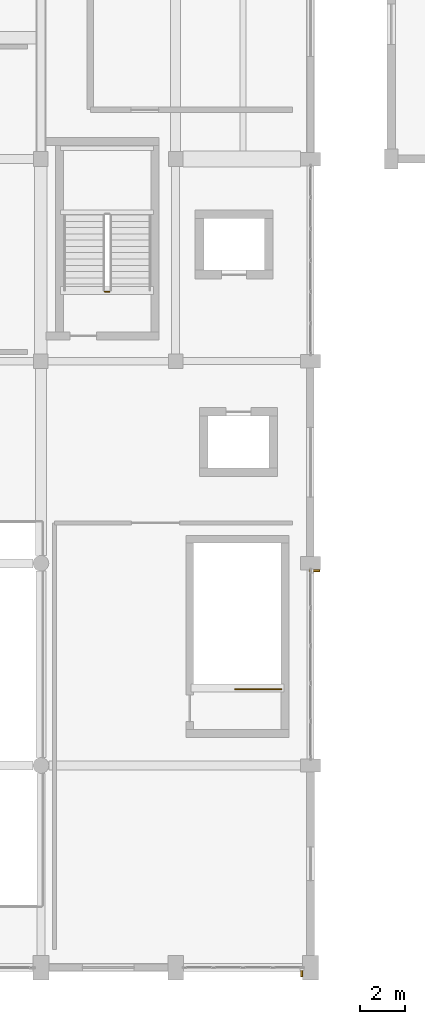
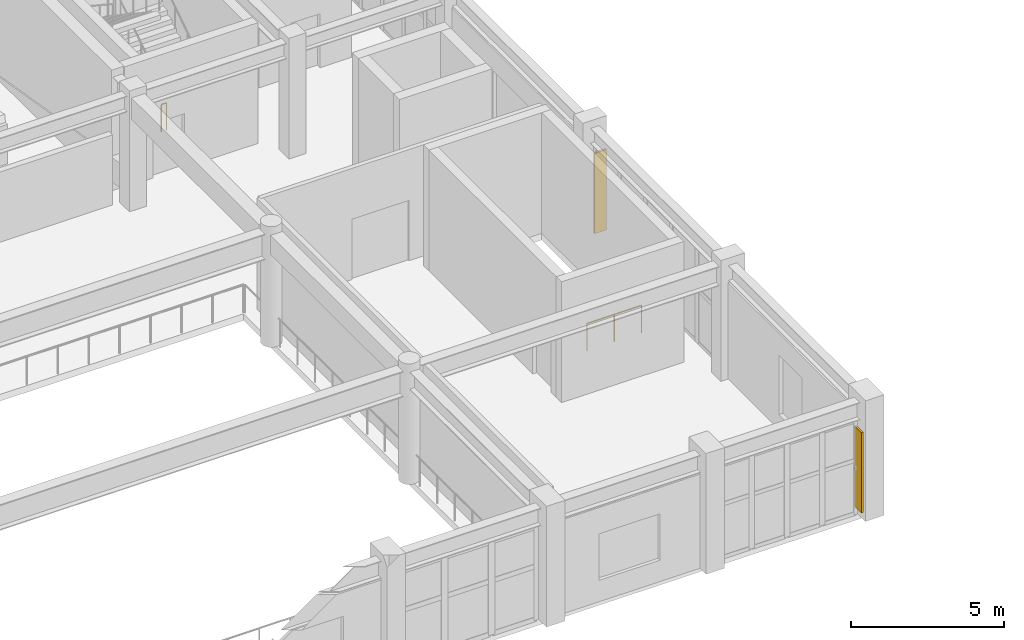
# One storey, part 72 of 80: 2 railings, 2 shading devices.
"""IFC4 building model written with IfcOpenShell, lengths in metres."""

from ifc_helpers import new_model, si_unit, direction, frame, origin, origin_2d, place, context, subcontext, project, spatial, rectangle, circle, extrude, material, type_object, element, save


model = new_model("IFC4")

# Units and contexts
model_context = context("Model", 3, precision=1e-05, world=origin(), true_north=direction((0.0, 1.0)))
body_context = subcontext(model_context, "Body", "Model", "MODEL_VIEW")
ifc_project = project(units=[si_unit("LENGTHUNIT", "METRE"), si_unit("AREAUNIT", "SQUARE_METRE"), si_unit("VOLUMEUNIT", "CUBIC_METRE"), si_unit("PLANEANGLEUNIT", "RADIAN"), si_unit("MASSUNIT", "GRAM", prefix="KILO")], contexts=[model_context])

# Site, building, storey
site_placement = place(None, origin())
site = spatial("IfcSite", under=ifc_project, at=site_placement, CompositionType="ELEMENT")
building_placement = place(site_placement, origin())
building = spatial("IfcBuilding", under=site, at=building_placement, Name="Vaelkrest Opera House", CompositionType="ELEMENT")
storey_placement = place(building_placement, frame((0.0, 0.0, 15.0)))
storey = spatial("IfcBuildingStorey", under=building, at=storey_placement, Name="L03", CompositionType="ELEMENT", Elevation=15.0)

# Shading devices
ifc_material = material(Name="Dark bronze anodized aluminium", Category="aluminium")
shading_device_type = type_object("IfcShadingDeviceType", Name="FIN01", PredefinedType="USERDEFINED", material=ifc_material)
for number, where, z_axis, x_axis, name in (
    (1, (29.616943359375, -55.97998046875, 0.27294921875), (0.0, 0.0, 1.0), (0.0, -1.0, 0.0), "Bronze vertical facade fin 04"),
    (2, (30.179931640625, -38.135498046875, 0.31494140625), (0.0, 0.0, 1.0), (1.0, 0.0, 0.0), "Bronze vertical facade fin 06"),
):
    element("IfcShadingDevice", number, at=place(storey_placement, frame(where, z_axis=z_axis, x_axis=x_axis)), inside=storey, type_object=shading_device_type, Name=name, ObjectType="FIN", PredefinedType="USERDEFINED", context=body_context, shape_type="SweptSolid", body=[
        extrude(rectangle(XDim=0.449951171875, YDim=0.080078125, at=origin_2d()), origin(), (0.0, 0.0, 1.0), 3.199951171875),
    ])

# Railings
railing_type = type_object("IfcRailingType", Name="GR02", PredefinedType="GUARDRAIL", material=ifc_material)
railing_1_placement = place(storey_placement, frame((21.050048828125, -25.699951171875, 0.0)))
element("IfcRailing", 3, at=railing_1_placement, inside=storey, type_object=railing_type, Name="L03 ST02 stair guard 4", PredefinedType="GUARDRAIL", context=body_context, shape_type="SweptSolid", body=[
    extrude(circle(Radius=0.02392578125, at=origin_2d()), frame((0.0, 0.0, 1.076171875), z_axis=(-1.0, 0.0, 0.0), x_axis=(0.0, -1.0, 0.0)), (0.0, 0.0, 1.0), 0.199951171875),
    extrude(circle(Radius=0.02099609375, at=origin_2d()), origin(), (0.0, 0.0, 1.0), 1.052001953125),
    extrude(circle(Radius=0.02099609375, at=origin_2d()), frame((-0.199951171875, 0.0, 0.0)), (0.0, 0.0, 1.0), 1.052001953125),
])
railing_2_placement = place(storey_placement, frame((28.699951171875, -43.39990234375, 0.0)))
element("IfcRailing", 4, at=railing_2_placement, inside=storey, type_object=railing_type, Name="L03 ST04 top well guard 1", PredefinedType="GUARDRAIL", context=body_context, shape_type="SweptSolid", body=[
    extrude(circle(Radius=0.02392578125, at=origin_2d()), frame((0.0, 0.0, 1.076171875), z_axis=(-1.0, 0.0, 0.0), x_axis=(0.0, -1.0, 0.0)), (0.0, 0.0, 1.0), 2.050048828125),
    extrude(circle(Radius=0.02099609375, at=origin_2d()), origin(), (0.0, 0.0, 1.0), 1.052001953125),
    extrude(circle(Radius=0.02099609375, at=origin_2d()), frame((-1.02490234375, 0.0, 0.0)), (0.0, 0.0, 1.0), 1.052001953125),
    extrude(circle(Radius=0.02099609375, at=origin_2d()), frame((-2.050048828125, 0.0, 0.0)), (0.0, 0.0, 1.0), 1.052001953125),
])

save(model, "model.ifc")
